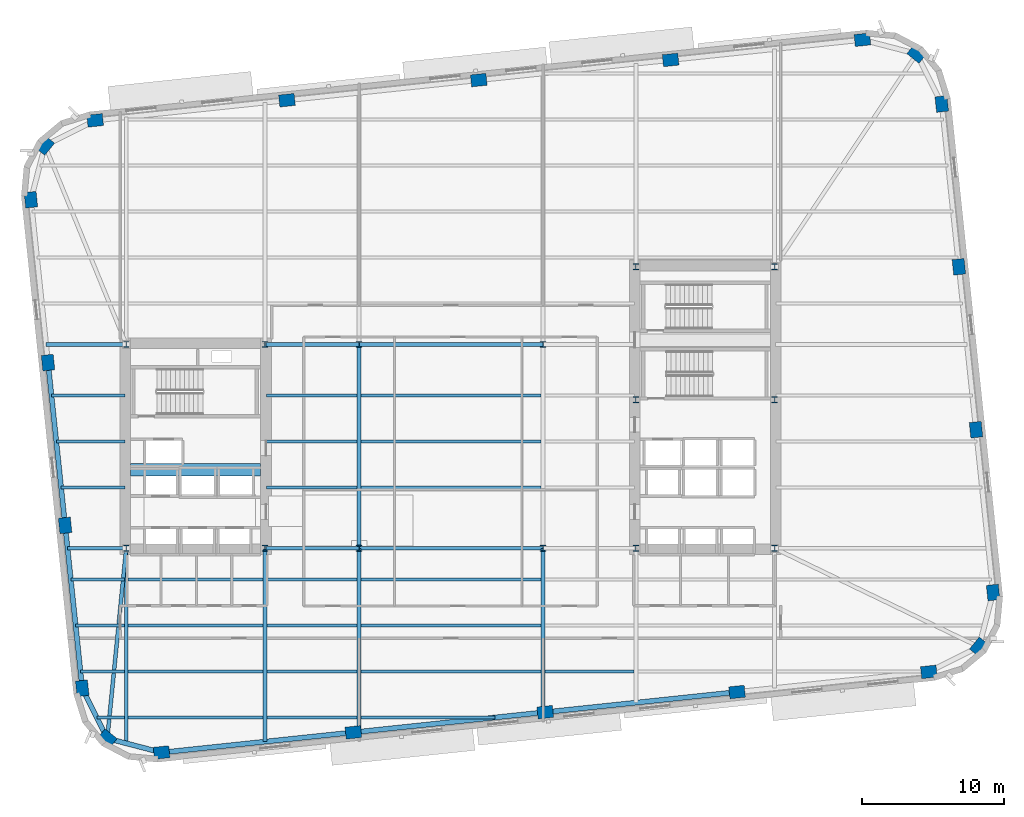
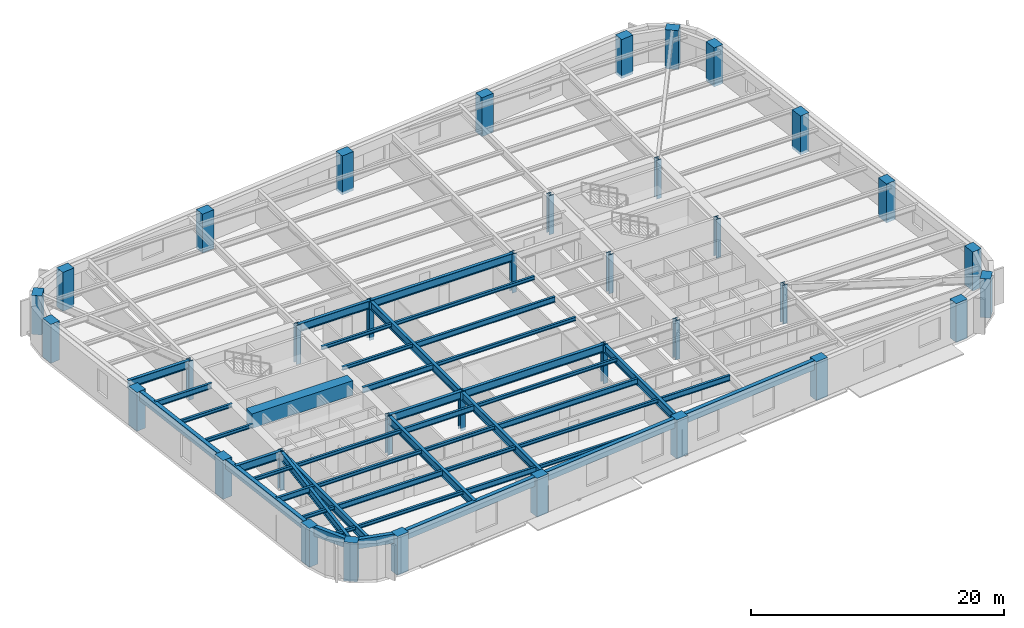
# One storey, part 1 of 14: 46 beams, 36 columns.
"""IFC4 building model written with IfcOpenShell, lengths in metres."""

from ifc_helpers import new_model, si_unit, direction, frame, origin, origin_2d, place, context, subcontext, project, spatial, rectangle, hollow_rectangle, i_section, extrude, material, material_profile, profile_set, type_object, element, save


model = new_model("IFC4")

# Units and contexts
model_context = context("Model", 3, precision=1e-05, world=origin(), true_north=direction((0.0, 1.0)))
body_context = subcontext(model_context, "Body", "Model", "MODEL_VIEW")
ifc_project = project(units=[si_unit("LENGTHUNIT", "METRE"), si_unit("AREAUNIT", "SQUARE_METRE"), si_unit("VOLUMEUNIT", "CUBIC_METRE"), si_unit("PLANEANGLEUNIT", "RADIAN"), si_unit("MASSUNIT", "GRAM", prefix="KILO")], contexts=[model_context])

# Site, building, storey
site_placement = place(None, origin())
site = spatial("IfcSite", under=ifc_project, at=site_placement, CompositionType="ELEMENT")
building_placement = place(site_placement, origin())
building = spatial("IfcBuilding", under=site, at=building_placement, Name="Kolvaren Arena Tower", CompositionType="ELEMENT")
storey_placement = place(building_placement, frame((0.0, 0.0, 130.75)))
storey = spatial("IfcBuildingStorey", under=building, at=storey_placement, Name="L30", CompositionType="ELEMENT", Elevation=130.75)

# Columns
ifc_material_1 = material(Name="Precast concrete C70/85", Category="concrete")
ifc_material_profile_1 = material_profile(ifc_material_1, rectangle(XDim=1.10009765625, YDim=0.85009765625, at=origin_2d()), Name="RC-1100x850")
ifc_profile_set_1 = profile_set([ifc_material_profile_1], Name="Precast concrete C70/85")
column_type_1 = type_object("IfcColumnType", Name="EXCOL-Z2", PredefinedType="COLUMN", material=ifc_profile_set_1)
for number, where, z_axis, x_axis, name in (
    (1, (17.0458984375, 5.024658203125, -0.27001953125), (0.0, 0.0, 1.0), (0.994521895368, 0.104528463268, 0.0), "Exoskeleton Perimeter Column 01 (L30)"),
    (2, (30.59619140625, 6.44873046875, -0.27001953125), (0.0, 0.0, 1.0), (0.994521895368, 0.104528463268, 0.0), "Exoskeleton Perimeter Column 02 (L30)"),
    (3, (44.146728515625, 7.873046875, -0.27001953125), (0.0, 0.0, 1.0), (0.994521895368, 0.104528463268, 0.0), "Exoskeleton Perimeter Column 03 (L30)"),
    (4, (57.697021484375, 9.297119140625, -0.27001953125), (0.0, 0.0, 1.0), (0.994521895368, 0.104528463268, 0.0), "Exoskeleton Perimeter Column 04 (L30)"),
    (5, (71.247314453125, 10.721435546875, -0.27001953125), (0.0, 0.0, 1.0), (0.994521895368, 0.104528463268, 0.0), "Exoskeleton Perimeter Column 05 (L30)"),
    (6, (74.790283203125, 12.49267578125, -0.27001953125), (0.0, 0.0, 1.0), (0.62932039105, 0.777145961457, 0.0), "Exoskeleton Perimeter Column 06 (L30)"),
    (7, (75.786376953125, 16.326416015625, -0.27001953125), (0.0, 0.0, 1.0), (-0.104528463268, 0.994521895368, 0.0), "Exoskeleton Perimeter Column 07 (L30)"),
    (8, (74.577392578125, 27.829833984375, -0.27001953125), (0.0, 0.0, 1.0), (-0.104528463268, 0.994521895368, 0.0), "Exoskeleton Perimeter Column 08 (L30)"),
    (9, (73.368408203125, 39.3330078125, -0.27001953125), (0.0, 0.0, 1.0), (-0.104528463268, 0.994521895368, 0.0), "Exoskeleton Perimeter Column 09 (L30)"),
    (10, (72.1591796875, 50.83642578125, -0.27001953125), (0.0, 0.0, 1.0), (-0.104528463268, 0.994521895368, 0.0), "Exoskeleton Perimeter Column 10 (L30)"),
    (11, (70.387939453125, 54.37939453125, -0.27001953125), (0.0, 0.0, 1.0), (-0.777145961457, 0.62932039105, 0.0), "Exoskeleton Perimeter Column 11 (L30)"),
    (12, (66.55419921875, 55.37548828125, -0.27001953125), (0.0, 0.0, 1.0), (0.994521895368, 0.104528463268, 0.0), "Exoskeleton Perimeter Column 12 (L30)"),
    (13, (53.003662109375, 53.951171875, -0.27001953125), (0.0, 0.0, 1.0), (0.994521895368, 0.104528463268, 0.0), "Exoskeleton Perimeter Column 13 (L30)"),
    (14, (39.453369140625, 52.527099609375, -0.27001953125), (0.0, 0.0, 1.0), (0.994521895368, 0.104528463268, 0.0), "Exoskeleton Perimeter Column 14 (L30)"),
    (15, (25.903076171875, 51.102783203125, -0.27001953125), (0.0, 0.0, 1.0), (0.994521895368, 0.104528463268, 0.0), "Exoskeleton Perimeter Column 15 (L30)"),
    (16, (12.3525390625, 49.6787109375, -0.27001953125), (0.0, 0.0, 1.0), (0.994521895368, 0.104528463268, 0.0), "Exoskeleton Perimeter Column 16 (L30)"),
    (17, (8.8095703125, 47.9072265625, -0.27001953125), (0.0, 0.0, 1.0), (0.62932039105, 0.777145961457, 0.0), "Exoskeleton Perimeter Column 17 (L30)"),
    (18, (7.813720703125, 44.073486328125, -0.27001953125), (0.0, 0.0, 1.0), (-0.104528463268, 0.994521895368, 0.0), "Exoskeleton Perimeter Column 18 (L30)"),
    (19, (9.022705078125, 32.5703125, -0.27001953125), (0.0, 0.0, 1.0), (-0.104528463268, 0.994521895368, 0.0), "Exoskeleton Perimeter Column 19 (L30)"),
    (20, (10.231689453125, 21.06689453125, -0.27001953125), (0.0, 0.0, 1.0), (-0.104528463268, 0.994521895368, 0.0), "Exoskeleton Perimeter Column 20 (L30)"),
    (21, (11.44091796875, 9.5634765625, -0.27001953125), (0.0, 0.0, 1.0), (-0.104528463268, 0.994521895368, 0.0), "Exoskeleton Perimeter Column 21 (L30)"),
    (22, (13.212158203125, 6.0205078125, -0.27001953125), (0.0, 0.0, 1.0), (-0.777145961457, 0.62932039105, 0.0), "Exoskeleton Perimeter Column 22 (L30)"),
):
    element("IfcColumn", number, at=place(storey_placement, frame(where, z_axis=z_axis, x_axis=x_axis)), inside=storey, type_object=column_type_1, Name=name, PredefinedType="COLUMN", context=body_context, shape_type="SweptSolid", body=[
        extrude(rectangle(XDim=1.10009765625, YDim=0.85009765625, at=origin_2d()), origin(), (0.0, 0.0, 1.0), 3.75),
    ])
ifc_material_2 = material(Name="Steel ASTM A913 Grade 65", Category="steel")
ifc_material_profile_2 = material_profile(ifc_material_2, i_section(OverallWidth=0.416015625, OverallDepth=0.446044921875, WebThickness=0.0390625, FlangeThickness=0.062744140625, FilletRadius=0.02001953125, at=origin_2d()), Name="W360x509")
ifc_profile_set_2 = profile_set([ifc_material_profile_2], Name="Steel ASTM A913 Grade 65")
column_type_2 = type_object("IfcColumnType", Name="SCOL-Z2", PredefinedType="COLUMN", material=ifc_profile_set_2)
for number, where, z_axis, x_axis, name in (
    (23, (14.550048828125, 19.449951171875, -0.27001953125), (0.0, 0.0, 1.0), (1.0, 0.0, 0.0), "Core Boundary Column WC-SW (L30)"),
    (24, (24.35009765625, 19.449951171875, -0.27001953125), (0.0, 0.0, 1.0), (1.0, 0.0, 0.0), "Core Boundary Column WC-SE (L30)"),
    (25, (14.550048828125, 33.85009765625, -0.27001953125), (0.0, 0.0, 1.0), (1.0, 0.0, 0.0), "Core Boundary Column WC-NW (L30)"),
    (26, (24.35009765625, 33.85009765625, -0.27001953125), (0.0, 0.0, 1.0), (1.0, 0.0, 0.0), "Core Boundary Column WC-NE (L30)"),
    (27, (50.550048828125, 19.449951171875, -0.27001953125), (0.0, 0.0, 1.0), (1.0, 0.0, 0.0), "Core Boundary Column EC-SW (L30)"),
    (28, (60.35009765625, 19.449951171875, -0.27001953125), (0.0, 0.0, 1.0), (1.0, 0.0, 0.0), "Core Boundary Column EC-SE (L30)"),
    (29, (50.550048828125, 29.949951171875, -0.27001953125), (0.0, 0.0, 1.0), (1.0, 0.0, 0.0), "Core Boundary Column EC-MW (L30)"),
    (30, (60.35009765625, 29.949951171875, -0.27001953125), (0.0, 0.0, 1.0), (1.0, 0.0, 0.0), "Core Boundary Column EC-ME (L30)"),
    (31, (50.550048828125, 39.35009765625, -0.27001953125), (0.0, 0.0, 1.0), (1.0, 0.0, 0.0), "Core Boundary Column EC-NW (L30)"),
    (32, (60.35009765625, 39.35009765625, -0.27001953125), (0.0, 0.0, 1.0), (1.0, 0.0, 0.0), "Core Boundary Column EC-NE (L30)"),
    (33, (31.0, 19.449951171875, -0.27001953125), (0.0, 0.0, 1.0), (1.0, 0.0, 0.0), "Interior Gravity Column TC-SW (L30)"),
    (34, (44.0, 19.449951171875, -0.27001953125), (0.0, 0.0, 1.0), (1.0, 0.0, 0.0), "Interior Gravity Column TC-SE (L30)"),
    (35, (31.0, 33.85009765625, -0.27001953125), (0.0, 0.0, 1.0), (1.0, 0.0, 0.0), "Interior Gravity Column TC-NW (L30)"),
    (36, (44.0, 33.85009765625, -0.27001953125), (0.0, 0.0, 1.0), (1.0, 0.0, 0.0), "Interior Gravity Column TC-NE (L30)"),
):
    element("IfcColumn", number, at=place(storey_placement, frame(where, z_axis=z_axis, x_axis=x_axis)), inside=storey, type_object=column_type_2, Name=name, PredefinedType="COLUMN", context=body_context, shape_type="SweptSolid", body=[
        extrude(i_section(OverallWidth=0.416015625, OverallDepth=0.446044921875, WebThickness=0.0390625, FlangeThickness=0.062744140625, FilletRadius=0.02001953125, at=origin_2d()), origin(), (0.0, 0.0, 1.0), 3.75),
    ])

# Beams
ifc_material_3 = material(Name="Steel CSA G40.21 350W", Category="steel")
ifc_material_profile_3 = material_profile(ifc_material_3, i_section(OverallWidth=0.2119140625, OverallDepth=0.54296875, WebThickness=0.01318359375, FlangeThickness=0.0244140625, FilletRadius=0.013916015625, at=origin_2d()), Name="W530x150")
ifc_profile_set_3 = profile_set([ifc_material_profile_3], Name="Steel CSA G40.21 350W")
beam_type_1 = type_object("IfcBeamType", Name="BEAM-F1", PredefinedType="BEAM", material=ifc_profile_set_3)
beam_1_placement = place(storey_placement, frame((24.485107421875, 7.5, 3.20849609375), z_axis=(1.0, 0.0, 0.0), x_axis=(0.0, 1.0, 0.0)))
element("IfcBeam", 37, at=beam_1_placement, inside=storey, type_object=beam_type_1, Name="Composite Floor Beam (L30)", PredefinedType="BEAM", context=body_context, shape_type="SweptSolid", body=[
    extrude(i_section(OverallWidth=0.2119140625, OverallDepth=0.54296875, WebThickness=0.01318359375, FlangeThickness=0.0244140625, FilletRadius=0.013916015625, at=origin_2d()), origin(), (0.0, 0.0, 1.0), 6.3798828125),
])
beam_2_placement = place(storey_placement, frame((14.68505859375, 10.75, 3.20849609375), z_axis=(1.0, 0.0, 0.0), x_axis=(0.0, 1.0, 0.0)))
element("IfcBeam", 38, at=beam_2_placement, inside=storey, type_object=beam_type_1, Name="Composite Floor Beam (L30)", PredefinedType="BEAM", context=body_context, shape_type="SweptSolid", body=[
    extrude(i_section(OverallWidth=0.2119140625, OverallDepth=0.54296875, WebThickness=0.01318359375, FlangeThickness=0.0244140625, FilletRadius=0.013916015625, at=origin_2d()), origin(), (0.0, 0.0, 1.0), 9.530029296875),
])
beam_3_placement = place(storey_placement, frame((44.135009765625, 10.75, 3.20849609375), z_axis=(1.0, 0.0, 0.0), x_axis=(0.0, 1.0, 0.0)))
element("IfcBeam", 39, at=beam_3_placement, inside=storey, type_object=beam_type_1, Name="Composite Floor Beam (L30)", PredefinedType="BEAM", context=body_context, shape_type="SweptSolid", body=[
    extrude(i_section(OverallWidth=0.2119140625, OverallDepth=0.54296875, WebThickness=0.01318359375, FlangeThickness=0.0244140625, FilletRadius=0.013916015625, at=origin_2d()), origin(), (0.0, 0.0, 1.0), 6.280029296875),
])
beam_4_placement = place(storey_placement, frame((10.974609375, 14.0, 3.20849609375), z_axis=(1.0, 0.0, 0.0), x_axis=(0.0, 1.0, 0.0)))
element("IfcBeam", 40, at=beam_4_placement, inside=storey, type_object=beam_type_1, Name="Composite Floor Beam (L30)", PredefinedType="BEAM", context=body_context, shape_type="SweptSolid", body=[
    extrude(i_section(OverallWidth=0.2119140625, OverallDepth=0.54296875, WebThickness=0.01318359375, FlangeThickness=0.0244140625, FilletRadius=0.013916015625, at=origin_2d()), origin(), (0.0, 0.0, 1.0), 3.4404296875),
])
beam_5_placement = place(storey_placement, frame((31.135009765625, 14.0, 3.20849609375), z_axis=(1.0, 0.0, 0.0), x_axis=(0.0, 1.0, 0.0)))
element("IfcBeam", 41, at=beam_5_placement, inside=storey, type_object=beam_type_1, Name="Composite Floor Beam (L30)", PredefinedType="BEAM", context=body_context, shape_type="SweptSolid", body=[
    extrude(i_section(OverallWidth=0.2119140625, OverallDepth=0.54296875, WebThickness=0.01318359375, FlangeThickness=0.0244140625, FilletRadius=0.013916015625, at=origin_2d()), origin(), (0.0, 0.0, 1.0), 12.72998046875),
])
beam_6_placement = place(storey_placement, frame((24.485107421875, 17.25, 3.20849609375), z_axis=(1.0, 0.0, 0.0), x_axis=(0.0, 1.0, 0.0)))
element("IfcBeam", 42, at=beam_6_placement, inside=storey, type_object=beam_type_1, Name="Composite Floor Beam (L30)", PredefinedType="BEAM", context=body_context, shape_type="SweptSolid", body=[
    extrude(i_section(OverallWidth=0.2119140625, OverallDepth=0.54296875, WebThickness=0.01318359375, FlangeThickness=0.0244140625, FilletRadius=0.013916015625, at=origin_2d()), origin(), (0.0, 0.0, 1.0), 6.3798828125),
])
beam_7_placement = place(storey_placement, frame((24.445068359375, 23.75, 3.20849609375), z_axis=(1.0, 0.0, 0.0), x_axis=(0.0, 1.0, 0.0)))
element("IfcBeam", 43, at=beam_7_placement, inside=storey, type_object=beam_type_1, Name="Composite Floor Beam (L30)", PredefinedType="BEAM", context=body_context, shape_type="SweptSolid", body=[
    extrude(i_section(OverallWidth=0.2119140625, OverallDepth=0.54296875, WebThickness=0.01318359375, FlangeThickness=0.0244140625, FilletRadius=0.013916015625, at=origin_2d()), origin(), (0.0, 0.0, 1.0), 6.419921875),
])
beam_8_placement = place(storey_placement, frame((31.135009765625, 27.0, 3.20849609375), z_axis=(1.0, 0.0, 0.0), x_axis=(0.0, 1.0, 0.0)))
element("IfcBeam", 44, at=beam_8_placement, inside=storey, type_object=beam_type_1, Name="Composite Floor Beam (L30)", PredefinedType="BEAM", context=body_context, shape_type="SweptSolid", body=[
    extrude(i_section(OverallWidth=0.2119140625, OverallDepth=0.54296875, WebThickness=0.01318359375, FlangeThickness=0.0244140625, FilletRadius=0.013916015625, at=origin_2d()), origin(), (0.0, 0.0, 1.0), 12.72998046875),
])
beam_9_placement = place(storey_placement, frame((9.2666015625, 30.25, 3.20849609375), z_axis=(1.0, 0.0, 0.0), x_axis=(0.0, 1.0, 0.0)))
element("IfcBeam", 45, at=beam_9_placement, inside=storey, type_object=beam_type_1, Name="Composite Floor Beam (L30)", PredefinedType="BEAM", context=body_context, shape_type="SweptSolid", body=[
    extrude(i_section(OverallWidth=0.2119140625, OverallDepth=0.54296875, WebThickness=0.01318359375, FlangeThickness=0.0244140625, FilletRadius=0.013916015625, at=origin_2d()), origin(), (0.0, 0.0, 1.0), 5.1884765625),
])
ifc_material_4 = material(Name="Concrete 75 MPa", Category="concrete")
ifc_material_profile_4 = material_profile(ifc_material_4, rectangle(XDim=0.89990234375, YDim=1.39990234375, at=origin_2d()), Name="RC-900x1400")
ifc_profile_set_4 = profile_set([ifc_material_profile_4], Name="Concrete 75 MPa")
beam_type_2 = type_object("IfcBeamType", Name="CB-CORE-1", PredefinedType="BEAM", material=ifc_profile_set_4)
beam_10_placement = place(storey_placement, frame((14.85009765625, 25.0, 3.050048828125), z_axis=(1.0, 0.0, 0.0), x_axis=(0.0, 1.0, 0.0)))
element("IfcBeam", 46, at=beam_10_placement, inside=storey, type_object=beam_type_2, Name="West Core Coupling Beam (L30)", PredefinedType="BEAM", context=body_context, shape_type="SweptSolid", body=[
    extrude(rectangle(XDim=0.89990234375, YDim=1.39990234375, at=origin_2d()), origin(), (0.0, 0.0, 1.0), 9.199951171875),
])
ifc_material_profile_5 = material_profile(ifc_material_3, i_section(OverallWidth=0.27001953125, OverallDepth=0.77294921875, WebThickness=0.019287109375, FlangeThickness=0.033447265625, FilletRadius=0.01806640625, at=origin_2d()), Name="W760x257")
ifc_profile_set_5 = profile_set([ifc_material_profile_5], Name="Steel CSA G40.21 350W")
beam_type_3 = type_object("IfcBeamType", Name="GIRD-T1", PredefinedType="BEAM", material=ifc_profile_set_5)
beam_11_placement = place(storey_placement, frame((13.212158203125, 6.0205078125, 3.093505859375), z_axis=(0.099132957575, 0.995074196592, 0.0), x_axis=(-0.995074196592, 0.099132957575, 0.0)))
element("IfcBeam", 47, at=beam_11_placement, inside=storey, type_object=beam_type_3, Name="Corner Diagonal Tie Girder (L30)", PredefinedType="BEAM", context=body_context, shape_type="SweptSolid", body=[
    extrude(i_section(OverallWidth=0.27001953125, OverallDepth=0.77294921875, WebThickness=0.019287109375, FlangeThickness=0.033447265625, FilletRadius=0.01806640625, at=origin_2d()), origin(), (0.0, 0.0, 1.0), 13.495849609375),
])
beam_12_placement = place(storey_placement, frame((10.401611328125, 19.449951171875, 3.093505859375), z_axis=(1.0, 0.0, 0.0), x_axis=(0.0, 1.0, 0.0)))
element("IfcBeam", 48, at=beam_12_placement, inside=storey, type_object=beam_type_3, Name="Primary Floor Girder (L30)", PredefinedType="BEAM", context=body_context, shape_type="SweptSolid", body=[
    extrude(i_section(OverallWidth=0.27001953125, OverallDepth=0.77294921875, WebThickness=0.019287109375, FlangeThickness=0.033447265625, FilletRadius=0.01806640625, at=origin_2d()), origin(), (0.0, 0.0, 1.0), 4.093505859375),
])
beam_13_placement = place(storey_placement, frame((24.405029296875, 19.449951171875, 3.093505859375), z_axis=(1.0, 0.0, 0.0), x_axis=(0.0, 1.0, 0.0)))
element("IfcBeam", 49, at=beam_13_placement, inside=storey, type_object=beam_type_3, Name="Primary Floor Girder (L30)", PredefinedType="BEAM", context=body_context, shape_type="SweptSolid", body=[
    extrude(i_section(OverallWidth=0.27001953125, OverallDepth=0.77294921875, WebThickness=0.019287109375, FlangeThickness=0.033447265625, FilletRadius=0.01806640625, at=origin_2d()), origin(), (0.0, 0.0, 1.0), 6.594970703125),
])
beam_14_placement = place(storey_placement, frame((31.0, 19.449951171875, 3.093505859375), z_axis=(1.0, 0.0, 0.0), x_axis=(0.0, 1.0, 0.0)))
element("IfcBeam", 50, at=beam_14_placement, inside=storey, type_object=beam_type_3, Name="Primary Floor Girder (L30)", PredefinedType="BEAM", context=body_context, shape_type="SweptSolid", body=[
    extrude(i_section(OverallWidth=0.27001953125, OverallDepth=0.77294921875, WebThickness=0.019287109375, FlangeThickness=0.033447265625, FilletRadius=0.01806640625, at=origin_2d()), origin(), (0.0, 0.0, 1.0), 13.0),
])
beam_15_placement = place(storey_placement, frame((8.88818359375, 33.85009765625, 3.093505859375), z_axis=(1.0, 0.0, 0.0), x_axis=(0.0, 1.0, 0.0)))
element("IfcBeam", 51, at=beam_15_placement, inside=storey, type_object=beam_type_3, Name="Primary Floor Girder (L30)", PredefinedType="BEAM", context=body_context, shape_type="SweptSolid", body=[
    extrude(i_section(OverallWidth=0.27001953125, OverallDepth=0.77294921875, WebThickness=0.019287109375, FlangeThickness=0.033447265625, FilletRadius=0.01806640625, at=origin_2d()), origin(), (0.0, 0.0, 1.0), 5.60693359375),
])
beam_16_placement = place(storey_placement, frame((24.405029296875, 33.85009765625, 3.093505859375), z_axis=(1.0, 0.0, 0.0), x_axis=(0.0, 1.0, 0.0)))
element("IfcBeam", 52, at=beam_16_placement, inside=storey, type_object=beam_type_3, Name="Primary Floor Girder (L30)", PredefinedType="BEAM", context=body_context, shape_type="SweptSolid", body=[
    extrude(i_section(OverallWidth=0.27001953125, OverallDepth=0.77294921875, WebThickness=0.019287109375, FlangeThickness=0.033447265625, FilletRadius=0.01806640625, at=origin_2d()), origin(), (0.0, 0.0, 1.0), 6.594970703125),
])
beam_17_placement = place(storey_placement, frame((31.0, 33.85009765625, 3.093505859375), z_axis=(1.0, 0.0, 0.0), x_axis=(0.0, 1.0, 0.0)))
element("IfcBeam", 53, at=beam_17_placement, inside=storey, type_object=beam_type_3, Name="Primary Floor Girder (L30)", PredefinedType="BEAM", context=body_context, shape_type="SweptSolid", body=[
    extrude(i_section(OverallWidth=0.27001953125, OverallDepth=0.77294921875, WebThickness=0.019287109375, FlangeThickness=0.033447265625, FilletRadius=0.01806640625, at=origin_2d()), origin(), (0.0, 0.0, 1.0), 13.0),
])
beam_18_placement = place(storey_placement, frame((14.550048828125, 5.673095703125, 3.093505859375), z_axis=(0.0, 1.0, 0.0), x_axis=(-1.0, 0.0, 0.0)))
element("IfcBeam", 54, at=beam_18_placement, inside=storey, type_object=beam_type_3, Name="Primary Floor Girder (L30)", PredefinedType="BEAM", context=body_context, shape_type="SweptSolid", body=[
    extrude(i_section(OverallWidth=0.27001953125, OverallDepth=0.77294921875, WebThickness=0.019287109375, FlangeThickness=0.033447265625, FilletRadius=0.01806640625, at=origin_2d()), origin(), (0.0, 0.0, 1.0), 13.721923828125),
])
beam_19_placement = place(storey_placement, frame((24.35009765625, 5.792236328125, 3.093505859375), z_axis=(0.0, 1.0, 0.0), x_axis=(-1.0, 0.0, 0.0)))
element("IfcBeam", 55, at=beam_19_placement, inside=storey, type_object=beam_type_3, Name="Primary Floor Girder (L30)", PredefinedType="BEAM", context=body_context, shape_type="SweptSolid", body=[
    extrude(i_section(OverallWidth=0.27001953125, OverallDepth=0.77294921875, WebThickness=0.019287109375, FlangeThickness=0.033447265625, FilletRadius=0.01806640625, at=origin_2d()), origin(), (0.0, 0.0, 1.0), 13.602783203125),
])
beam_20_placement = place(storey_placement, frame((31.0, 6.4912109375, 3.093505859375), z_axis=(0.0, 1.0, 0.0), x_axis=(-1.0, 0.0, 0.0)))
element("IfcBeam", 56, at=beam_20_placement, inside=storey, type_object=beam_type_3, Name="Primary Floor Girder (L30)", PredefinedType="BEAM", context=body_context, shape_type="SweptSolid", body=[
    extrude(i_section(OverallWidth=0.27001953125, OverallDepth=0.77294921875, WebThickness=0.019287109375, FlangeThickness=0.033447265625, FilletRadius=0.01806640625, at=origin_2d()), origin(), (0.0, 0.0, 1.0), 12.958740234375),
])
beam_21_placement = place(storey_placement, frame((31.0, 19.449951171875, 3.093505859375), z_axis=(0.0, 1.0, 0.0), x_axis=(-1.0, 0.0, 0.0)))
element("IfcBeam", 57, at=beam_21_placement, inside=storey, type_object=beam_type_3, Name="Primary Floor Girder (L30)", PredefinedType="BEAM", context=body_context, shape_type="SweptSolid", body=[
    extrude(i_section(OverallWidth=0.27001953125, OverallDepth=0.77294921875, WebThickness=0.019287109375, FlangeThickness=0.033447265625, FilletRadius=0.01806640625, at=origin_2d()), origin(), (0.0, 0.0, 1.0), 14.400146484375),
])
beam_22_placement = place(storey_placement, frame((44.0, 7.857666015625, 3.093505859375), z_axis=(0.0, 1.0, 0.0), x_axis=(-1.0, 0.0, 0.0)))
element("IfcBeam", 58, at=beam_22_placement, inside=storey, type_object=beam_type_3, Name="Primary Floor Girder (L30)", PredefinedType="BEAM", context=body_context, shape_type="SweptSolid", body=[
    extrude(i_section(OverallWidth=0.27001953125, OverallDepth=0.77294921875, WebThickness=0.019287109375, FlangeThickness=0.033447265625, FilletRadius=0.01806640625, at=origin_2d()), origin(), (0.0, 0.0, 1.0), 11.59228515625),
])
ifc_material_profile_6 = material_profile(ifc_material_3, i_section(OverallWidth=0.202880859375, OverallDepth=0.346923828125, WebThickness=0.0078125, FlangeThickness=0.013427734375, FilletRadius=0.010986328125, at=origin_2d()), Name="W360x64")
ifc_profile_set_6 = profile_set([ifc_material_profile_6], Name="Steel CSA G40.21 350W")
beam_type_4 = type_object("IfcBeamType", Name="JOIST-01", PredefinedType="JOIST", material=ifc_profile_set_6)
beam_23_placement = place(storey_placement, frame((12.472412109375, 7.5, 3.306396484375), z_axis=(1.0, 0.0, 0.0), x_axis=(0.0, 1.0, 0.0)))
element("IfcBeam", 59, at=beam_23_placement, inside=storey, type_object=beam_type_4, Name="Composite Floor Joist (L30)", PredefinedType="JOIST", context=body_context, shape_type="SweptSolid", body=[
    extrude(i_section(OverallWidth=0.202880859375, OverallDepth=0.346923828125, WebThickness=0.0078125, FlangeThickness=0.013427734375, FilletRadius=0.010986328125, at=origin_2d()), origin(), (0.0, 0.0, 1.0), 1.942626953125),
])
beam_24_placement = place(storey_placement, frame((14.68505859375, 7.5, 3.306396484375), z_axis=(1.0, 0.0, 0.0), x_axis=(0.0, 1.0, 0.0)))
element("IfcBeam", 60, at=beam_24_placement, inside=storey, type_object=beam_type_4, Name="Composite Floor Joist (L30)", PredefinedType="JOIST", context=body_context, shape_type="SweptSolid", body=[
    extrude(i_section(OverallWidth=0.202880859375, OverallDepth=0.346923828125, WebThickness=0.0078125, FlangeThickness=0.013427734375, FilletRadius=0.010986328125, at=origin_2d()), origin(), (0.0, 0.0, 1.0), 9.530029296875),
])
beam_25_placement = place(storey_placement, frame((31.135009765625, 7.5, 3.306396484375), z_axis=(1.0, 0.0, 0.0), x_axis=(0.0, 1.0, 0.0)))
element("IfcBeam", 61, at=beam_25_placement, inside=storey, type_object=beam_type_4, Name="Composite Floor Joist (L30)", PredefinedType="JOIST", context=body_context, shape_type="SweptSolid", body=[
    extrude(i_section(OverallWidth=0.202880859375, OverallDepth=0.346923828125, WebThickness=0.0078125, FlangeThickness=0.013427734375, FilletRadius=0.010986328125, at=origin_2d()), origin(), (0.0, 0.0, 1.0), 9.462890625),
])
beam_26_placement = place(storey_placement, frame((11.316162109375, 10.75, 3.306396484375), z_axis=(1.0, 0.0, 0.0), x_axis=(0.0, 1.0, 0.0)))
element("IfcBeam", 62, at=beam_26_placement, inside=storey, type_object=beam_type_4, Name="Composite Floor Joist (L30)", PredefinedType="JOIST", context=body_context, shape_type="SweptSolid", body=[
    extrude(i_section(OverallWidth=0.202880859375, OverallDepth=0.346923828125, WebThickness=0.0078125, FlangeThickness=0.013427734375, FilletRadius=0.010986328125, at=origin_2d()), origin(), (0.0, 0.0, 1.0), 3.098876953125),
])
beam_27_placement = place(storey_placement, frame((24.485107421875, 10.75, 3.306396484375), z_axis=(1.0, 0.0, 0.0), x_axis=(0.0, 1.0, 0.0)))
element("IfcBeam", 63, at=beam_27_placement, inside=storey, type_object=beam_type_4, Name="Composite Floor Joist (L30)", PredefinedType="JOIST", context=body_context, shape_type="SweptSolid", body=[
    extrude(i_section(OverallWidth=0.202880859375, OverallDepth=0.346923828125, WebThickness=0.0078125, FlangeThickness=0.013427734375, FilletRadius=0.010986328125, at=origin_2d()), origin(), (0.0, 0.0, 1.0), 6.3798828125),
])
beam_28_placement = place(storey_placement, frame((31.135009765625, 10.75, 3.306396484375), z_axis=(1.0, 0.0, 0.0), x_axis=(0.0, 1.0, 0.0)))
element("IfcBeam", 64, at=beam_28_placement, inside=storey, type_object=beam_type_4, Name="Composite Floor Joist (L30)", PredefinedType="JOIST", context=body_context, shape_type="SweptSolid", body=[
    extrude(i_section(OverallWidth=0.202880859375, OverallDepth=0.346923828125, WebThickness=0.0078125, FlangeThickness=0.013427734375, FilletRadius=0.010986328125, at=origin_2d()), origin(), (0.0, 0.0, 1.0), 12.72998046875),
])
beam_29_placement = place(storey_placement, frame((14.68505859375, 14.0, 3.306396484375), z_axis=(1.0, 0.0, 0.0), x_axis=(0.0, 1.0, 0.0)))
element("IfcBeam", 65, at=beam_29_placement, inside=storey, type_object=beam_type_4, Name="Composite Floor Joist (L30)", PredefinedType="JOIST", context=body_context, shape_type="SweptSolid", body=[
    extrude(i_section(OverallWidth=0.202880859375, OverallDepth=0.346923828125, WebThickness=0.0078125, FlangeThickness=0.013427734375, FilletRadius=0.010986328125, at=origin_2d()), origin(), (0.0, 0.0, 1.0), 9.530029296875),
])
beam_30_placement = place(storey_placement, frame((24.485107421875, 14.0, 3.306396484375), z_axis=(1.0, 0.0, 0.0), x_axis=(0.0, 1.0, 0.0)))
element("IfcBeam", 66, at=beam_30_placement, inside=storey, type_object=beam_type_4, Name="Composite Floor Joist (L30)", PredefinedType="JOIST", context=body_context, shape_type="SweptSolid", body=[
    extrude(i_section(OverallWidth=0.202880859375, OverallDepth=0.346923828125, WebThickness=0.0078125, FlangeThickness=0.013427734375, FilletRadius=0.010986328125, at=origin_2d()), origin(), (0.0, 0.0, 1.0), 6.3798828125),
])
beam_31_placement = place(storey_placement, frame((10.6328125, 17.25, 3.306396484375), z_axis=(1.0, 0.0, 0.0), x_axis=(0.0, 1.0, 0.0)))
element("IfcBeam", 67, at=beam_31_placement, inside=storey, type_object=beam_type_4, Name="Composite Floor Joist (L30)", PredefinedType="JOIST", context=body_context, shape_type="SweptSolid", body=[
    extrude(i_section(OverallWidth=0.202880859375, OverallDepth=0.346923828125, WebThickness=0.0078125, FlangeThickness=0.013427734375, FilletRadius=0.010986328125, at=origin_2d()), origin(), (0.0, 0.0, 1.0), 3.7822265625),
])
beam_32_placement = place(storey_placement, frame((14.68505859375, 17.25, 3.306396484375), z_axis=(1.0, 0.0, 0.0), x_axis=(0.0, 1.0, 0.0)))
element("IfcBeam", 68, at=beam_32_placement, inside=storey, type_object=beam_type_4, Name="Composite Floor Joist (L30)", PredefinedType="JOIST", context=body_context, shape_type="SweptSolid", body=[
    extrude(i_section(OverallWidth=0.202880859375, OverallDepth=0.346923828125, WebThickness=0.0078125, FlangeThickness=0.013427734375, FilletRadius=0.010986328125, at=origin_2d()), origin(), (0.0, 0.0, 1.0), 9.530029296875),
])
beam_33_placement = place(storey_placement, frame((31.135009765625, 17.25, 3.306396484375), z_axis=(1.0, 0.0, 0.0), x_axis=(0.0, 1.0, 0.0)))
element("IfcBeam", 69, at=beam_33_placement, inside=storey, type_object=beam_type_4, Name="Composite Floor Joist (L30)", PredefinedType="JOIST", context=body_context, shape_type="SweptSolid", body=[
    extrude(i_section(OverallWidth=0.202880859375, OverallDepth=0.346923828125, WebThickness=0.0078125, FlangeThickness=0.013427734375, FilletRadius=0.010986328125, at=origin_2d()), origin(), (0.0, 0.0, 1.0), 12.72998046875),
])
beam_34_placement = place(storey_placement, frame((9.94970703125, 23.75, 3.306396484375), z_axis=(1.0, 0.0, 0.0), x_axis=(0.0, 1.0, 0.0)))
element("IfcBeam", 70, at=beam_34_placement, inside=storey, type_object=beam_type_4, Name="Composite Floor Joist (L30)", PredefinedType="JOIST", context=body_context, shape_type="SweptSolid", body=[
    extrude(i_section(OverallWidth=0.202880859375, OverallDepth=0.346923828125, WebThickness=0.0078125, FlangeThickness=0.013427734375, FilletRadius=0.010986328125, at=origin_2d()), origin(), (0.0, 0.0, 1.0), 4.50537109375),
])
beam_35_placement = place(storey_placement, frame((31.135009765625, 23.75, 3.306396484375), z_axis=(1.0, 0.0, 0.0), x_axis=(0.0, 1.0, 0.0)))
element("IfcBeam", 71, at=beam_35_placement, inside=storey, type_object=beam_type_4, Name="Composite Floor Joist (L30)", PredefinedType="JOIST", context=body_context, shape_type="SweptSolid", body=[
    extrude(i_section(OverallWidth=0.202880859375, OverallDepth=0.346923828125, WebThickness=0.0078125, FlangeThickness=0.013427734375, FilletRadius=0.010986328125, at=origin_2d()), origin(), (0.0, 0.0, 1.0), 12.72998046875),
])
beam_36_placement = place(storey_placement, frame((9.608154296875, 27.0, 3.306396484375), z_axis=(1.0, 0.0, 0.0), x_axis=(0.0, 1.0, 0.0)))
element("IfcBeam", 72, at=beam_36_placement, inside=storey, type_object=beam_type_4, Name="Composite Floor Joist (L30)", PredefinedType="JOIST", context=body_context, shape_type="SweptSolid", body=[
    extrude(i_section(OverallWidth=0.202880859375, OverallDepth=0.346923828125, WebThickness=0.0078125, FlangeThickness=0.013427734375, FilletRadius=0.010986328125, at=origin_2d()), origin(), (0.0, 0.0, 1.0), 4.846923828125),
])
for number, where, z_axis, x_axis, name in (
    (73, (24.445068359375, 27.0, 3.306396484375), (1.0, 0.0, 0.0), (0.0, 1.0, 0.0), "Composite Floor Joist (L30)"),
    (74, (24.445068359375, 30.25, 3.306396484375), (1.0, 0.0, 0.0), (0.0, 1.0, 0.0), "Composite Floor Joist (L30)"),
):
    element("IfcBeam", number, at=place(storey_placement, frame(where, z_axis=z_axis, x_axis=x_axis)), inside=storey, type_object=beam_type_4, Name=name, PredefinedType="JOIST", context=body_context, shape_type="SweptSolid", body=[
        extrude(i_section(OverallWidth=0.202880859375, OverallDepth=0.346923828125, WebThickness=0.0078125, FlangeThickness=0.013427734375, FilletRadius=0.010986328125, at=origin_2d()), origin(), (0.0, 0.0, 1.0), 6.419921875),
    ])
beam_37_placement = place(storey_placement, frame((31.135009765625, 30.25, 3.306396484375), z_axis=(1.0, 0.0, 0.0), x_axis=(0.0, 1.0, 0.0)))
element("IfcBeam", 75, at=beam_37_placement, inside=storey, type_object=beam_type_4, Name="Composite Floor Joist (L30)", PredefinedType="JOIST", context=body_context, shape_type="SweptSolid", body=[
    extrude(i_section(OverallWidth=0.202880859375, OverallDepth=0.346923828125, WebThickness=0.0078125, FlangeThickness=0.013427734375, FilletRadius=0.010986328125, at=origin_2d()), origin(), (0.0, 0.0, 1.0), 12.72998046875),
])
ifc_material_5 = material(Name="Steel CSA G40.21 350WT", Category="steel")
ifc_material_profile_7 = material_profile(ifc_material_5, hollow_rectangle(XDim=0.35009765625, YDim=0.89990234375, WallThickness=0.02001953125, at=origin_2d()), Name="HSS 900x350x20")
ifc_profile_set_7 = profile_set([ifc_material_profile_7], Name="Steel CSA G40.21 350WT")
beam_type_5 = type_object("IfcBeamType", Name="SPAND-01", PredefinedType="SPANDREL", material=ifc_profile_set_7)
beam_38_placement = place(storey_placement, frame((17.0458984375, 5.024658203125, 3.030029296875), z_axis=(0.994522817887, 0.104519685718, 0.0), x_axis=(-0.104519685718, 0.994522817887, 0.0)))
element("IfcBeam", 76, at=beam_38_placement, inside=storey, type_object=beam_type_5, Name="Perimeter Spandrel Beam (L30)", PredefinedType="SPANDREL", context=body_context, shape_type="SweptSolid", body=[
    extrude(hollow_rectangle(XDim=0.35009765625, YDim=0.89990234375, WallThickness=0.02001953125, at=origin_2d()), origin(), (0.0, 0.0, 1.0), 13.625),
])
beam_39_placement = place(storey_placement, frame((30.59619140625, 6.44873046875, 3.030029296875), z_axis=(0.994521150946, 0.104535545729, 0.0), x_axis=(-0.104535545729, 0.994521150946, 0.0)))
element("IfcBeam", 77, at=beam_39_placement, inside=storey, type_object=beam_type_5, Name="Perimeter Spandrel Beam (L30)", PredefinedType="SPANDREL", context=body_context, shape_type="SweptSolid", body=[
    extrude(hollow_rectangle(XDim=0.35009765625, YDim=0.89990234375, WallThickness=0.02001953125, at=origin_2d()), origin(), (0.0, 0.0, 1.0), 13.625244140625),
])
beam_40_placement = place(storey_placement, frame((44.146728515625, 7.873046875, 3.030029296875), z_axis=(0.994522817887, 0.104519685718, 0.0), x_axis=(-0.104519685718, 0.994522817887, 0.0)))
element("IfcBeam", 78, at=beam_40_placement, inside=storey, type_object=beam_type_5, Name="Perimeter Spandrel Beam (L30)", PredefinedType="SPANDREL", context=body_context, shape_type="SweptSolid", body=[
    extrude(hollow_rectangle(XDim=0.35009765625, YDim=0.89990234375, WallThickness=0.02001953125, at=origin_2d()), origin(), (0.0, 0.0, 1.0), 13.625),
])
for number, where, z_axis, x_axis, name in (
    (79, (9.022705078125, 32.5703125, 3.030029296875), (0.104522171998, -0.994522556587, 0.0), (0.994522556587, 0.104522171998, 0.0), "Perimeter Spandrel Beam (L30)"),
    (80, (10.231689453125, 21.06689453125, 3.030029296875), (0.104543048399, -0.994520362301, 0.0), (0.994520362301, 0.104543048399, 0.0), "Perimeter Spandrel Beam (L30)"),
):
    element("IfcBeam", number, at=place(storey_placement, frame(where, z_axis=z_axis, x_axis=x_axis)), inside=storey, type_object=beam_type_5, Name=name, PredefinedType="SPANDREL", context=body_context, shape_type="SweptSolid", body=[
        extrude(hollow_rectangle(XDim=0.35009765625, YDim=0.89990234375, WallThickness=0.02001953125, at=origin_2d()), origin(), (0.0, 0.0, 1.0), 11.56689453125),
    ])
for number, where, z_axis, x_axis, name in (
    (81, (11.44091796875, 9.5634765625, 3.030029296875), (0.44716428656, -0.894451843771, 0.0), (0.894451843771, 0.44716428656, 0.0), "Perimeter Spandrel Beam (L30)"),
    (82, (13.212158203125, 6.0205078125, 3.030029296875), (0.96787922294, -0.25141561169, 0.0), (0.25141561169, 0.96787922294, 0.0), "Perimeter Spandrel Beam (L30)"),
):
    element("IfcBeam", number, at=place(storey_placement, frame(where, z_axis=z_axis, x_axis=x_axis)), inside=storey, type_object=beam_type_5, Name=name, PredefinedType="SPANDREL", context=body_context, shape_type="SweptSolid", body=[
        extrude(hollow_rectangle(XDim=0.35009765625, YDim=0.89990234375, WallThickness=0.02001953125, at=origin_2d()), origin(), (0.0, 0.0, 1.0), 3.9609375),
    ])

save(model, "model.ifc")
